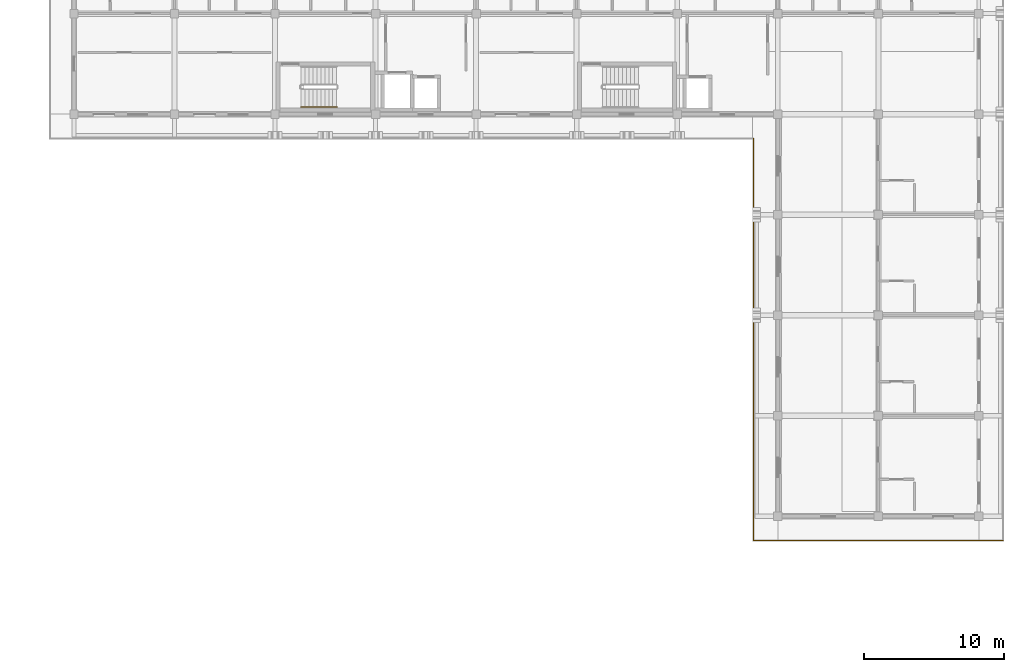
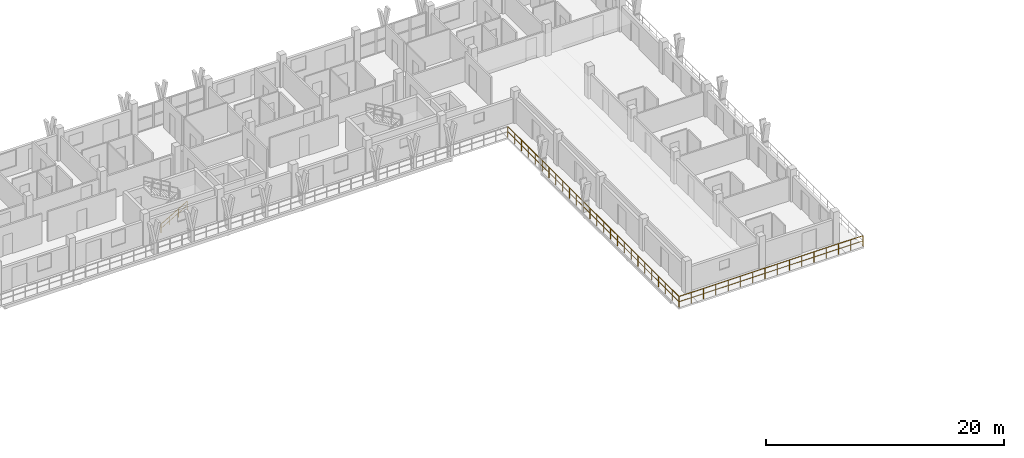
# One storey, part 72 of 75: 3 railings.
"""IFC4 building model written with IfcOpenShell, lengths in metres."""

from ifc_helpers import new_model, si_unit, direction, frame, origin, origin_2d, place, context, subcontext, project, spatial, rectangle, extrude, material, type_object, element, save


model = new_model("IFC4")

# Units and contexts
model_context = context("Model", 3, precision=1e-05, world=origin(), true_north=direction((0.0, 1.0)))
body_context = subcontext(model_context, "Body", "Model", "MODEL_VIEW")
ifc_project = project(units=[si_unit("LENGTHUNIT", "METRE"), si_unit("AREAUNIT", "SQUARE_METRE"), si_unit("VOLUMEUNIT", "CUBIC_METRE"), si_unit("PLANEANGLEUNIT", "RADIAN"), si_unit("MASSUNIT", "GRAM", prefix="KILO")], contexts=[model_context])

# Site, building, storey
site_placement = place(None, origin())
site = spatial("IfcSite", under=ifc_project, at=site_placement, CompositionType="ELEMENT")
building_placement = place(site_placement, origin())
building = spatial("IfcBuilding", under=site, at=building_placement, Name="Suanplinth Sawtooth Commons", CompositionType="ELEMENT")
storey_placement = place(building_placement, frame((0.0, 0.0, 18.60009765625)))
storey = spatial("IfcBuildingStorey", under=building, at=storey_placement, Name="L05", CompositionType="ELEMENT", Elevation=18.60009765625)

# Railings
ifc_material_1 = material(Name="Powder-coated galvanized steel", Category="steel")
railing_type_1 = type_object("IfcRailingType", Name="GR-01", PredefinedType="BALUSTRADE", material=ifc_material_1)
railing_1_placement = place(storey_placement, frame((171.06005859375, 77.4599609375, 0.0)))
element("IfcRailing", 1, at=railing_1_placement, inside=storey, type_object=railing_type_1, Name="L05 Block B Perimeter Balustrade 1", PredefinedType="BALUSTRADE", context=body_context, shape_type="SweptSolid", body=[
    extrude(rectangle(XDim=0.048095703125, YDim=0.048095703125, at=origin_2d()), frame((0.0, 0.0, 1.09619140625), z_axis=(0.0, 1.0, 0.0), x_axis=(-1.0, 0.0, 0.0)), (0.0, 0.0, 1.0), 28.800048828125),
    extrude(rectangle(XDim=0.03369140625, YDim=0.03369140625, at=origin_2d()), frame((0.0, 0.0, 0.56005859375), z_axis=(0.0, 1.0, 0.0), x_axis=(-1.0, 0.0, 0.0)), (0.0, 0.0, 1.0), 28.800048828125),
    extrude(rectangle(XDim=0.0419921875, YDim=0.0419921875, at=origin_2d()), origin(), (0.0, 0.0, 1.0), 1.072021484375),
    extrude(rectangle(XDim=0.0419921875, YDim=0.0419921875, at=origin_2d()), frame((0.0, 1.152099609375, 0.0)), (0.0, 0.0, 1.0), 1.072021484375),
    extrude(rectangle(XDim=0.0419921875, YDim=0.0419921875, at=origin_2d()), frame((0.0, 2.303955078125, 0.0)), (0.0, 0.0, 1.0), 1.072021484375),
    extrude(rectangle(XDim=0.0419921875, YDim=0.0419921875, at=origin_2d()), frame((0.0, 3.4560546875, 0.0)), (0.0, 0.0, 1.0), 1.072021484375),
    extrude(rectangle(XDim=0.0419921875, YDim=0.0419921875, at=origin_2d()), frame((0.0, 4.60791015625, 0.0)), (0.0, 0.0, 1.0), 1.072021484375),
    extrude(rectangle(XDim=0.0419921875, YDim=0.0419921875, at=origin_2d()), frame((0.0, 5.760009765625, 0.0)), (0.0, 0.0, 1.0), 1.072021484375),
    extrude(rectangle(XDim=0.0419921875, YDim=0.0419921875, at=origin_2d()), frame((0.0, 6.912109375, 0.0)), (0.0, 0.0, 1.0), 1.072021484375),
    extrude(rectangle(XDim=0.0419921875, YDim=0.0419921875, at=origin_2d()), frame((0.0, 8.06396484375, 0.0)), (0.0, 0.0, 1.0), 1.072021484375),
    extrude(rectangle(XDim=0.0419921875, YDim=0.0419921875, at=origin_2d()), frame((0.0, 9.216064453125, 0.0)), (0.0, 0.0, 1.0), 1.072021484375),
    extrude(rectangle(XDim=0.0419921875, YDim=0.0419921875, at=origin_2d()), frame((0.0, 10.367919921875, 0.0)), (0.0, 0.0, 1.0), 1.072021484375),
    extrude(rectangle(XDim=0.0419921875, YDim=0.0419921875, at=origin_2d()), frame((0.0, 11.52001953125, 0.0)), (0.0, 0.0, 1.0), 1.072021484375),
    extrude(rectangle(XDim=0.0419921875, YDim=0.0419921875, at=origin_2d()), frame((0.0, 12.672119140625, 0.0)), (0.0, 0.0, 1.0), 1.072021484375),
    extrude(rectangle(XDim=0.0419921875, YDim=0.0419921875, at=origin_2d()), frame((0.0, 13.823974609375, 0.0)), (0.0, 0.0, 1.0), 1.072021484375),
    extrude(rectangle(XDim=0.0419921875, YDim=0.0419921875, at=origin_2d()), frame((0.0, 14.97607421875, 0.0)), (0.0, 0.0, 1.0), 1.072021484375),
    extrude(rectangle(XDim=0.0419921875, YDim=0.0419921875, at=origin_2d()), frame((0.0, 16.1279296875, 0.0)), (0.0, 0.0, 1.0), 1.072021484375),
    extrude(rectangle(XDim=0.0419921875, YDim=0.0419921875, at=origin_2d()), frame((0.0, 17.280029296875, 0.0)), (0.0, 0.0, 1.0), 1.072021484375),
    extrude(rectangle(XDim=0.0419921875, YDim=0.0419921875, at=origin_2d()), frame((0.0, 18.43212890625, 0.0)), (0.0, 0.0, 1.0), 1.072021484375),
    extrude(rectangle(XDim=0.0419921875, YDim=0.0419921875, at=origin_2d()), frame((0.0, 19.583984375, 0.0)), (0.0, 0.0, 1.0), 1.072021484375),
    extrude(rectangle(XDim=0.0419921875, YDim=0.0419921875, at=origin_2d()), frame((0.0, 20.736083984375, 0.0)), (0.0, 0.0, 1.0), 1.072021484375),
    extrude(rectangle(XDim=0.0419921875, YDim=0.0419921875, at=origin_2d()), frame((0.0, 21.887939453125, 0.0)), (0.0, 0.0, 1.0), 1.072021484375),
    extrude(rectangle(XDim=0.0419921875, YDim=0.0419921875, at=origin_2d()), frame((0.0, 23.0400390625, 0.0)), (0.0, 0.0, 1.0), 1.072021484375),
    extrude(rectangle(XDim=0.0419921875, YDim=0.0419921875, at=origin_2d()), frame((0.0, 24.192138671875, 0.0)), (0.0, 0.0, 1.0), 1.072021484375),
    extrude(rectangle(XDim=0.0419921875, YDim=0.0419921875, at=origin_2d()), frame((0.0, 25.343994140625, 0.0)), (0.0, 0.0, 1.0), 1.072021484375),
    extrude(rectangle(XDim=0.0419921875, YDim=0.0419921875, at=origin_2d()), frame((0.0, 26.49609375, 0.0)), (0.0, 0.0, 1.0), 1.072021484375),
    extrude(rectangle(XDim=0.0419921875, YDim=0.0419921875, at=origin_2d()), frame((0.0, 27.64794921875, 0.0)), (0.0, 0.0, 1.0), 1.072021484375),
    extrude(rectangle(XDim=0.0419921875, YDim=0.0419921875, at=origin_2d()), frame((0.0, 28.800048828125, 0.0)), (0.0, 0.0, 1.0), 1.072021484375),
])
railing_2_placement = place(storey_placement, frame((188.93994140625, 77.4599609375, 0.0)))
element("IfcRailing", 2, at=railing_2_placement, inside=storey, type_object=railing_type_1, Name="L05 Block B Perimeter Balustrade 6", PredefinedType="BALUSTRADE", context=body_context, shape_type="SweptSolid", body=[
    extrude(rectangle(XDim=0.048095703125, YDim=0.048095703125, at=origin_2d()), frame((0.0, 0.0, 1.09619140625), z_axis=(-1.0, 0.0, 0.0), x_axis=(0.0, -1.0, 0.0)), (0.0, 0.0, 1.0), 17.8798828125),
    extrude(rectangle(XDim=0.03369140625, YDim=0.03369140625, at=origin_2d()), frame((0.0, 0.0, 0.56005859375), z_axis=(-1.0, 0.0, 0.0), x_axis=(0.0, -1.0, 0.0)), (0.0, 0.0, 1.0), 17.8798828125),
    extrude(rectangle(XDim=0.0419921875, YDim=0.0419921875, at=origin_2d()), origin(), (0.0, 0.0, 1.0), 1.072021484375),
    extrude(rectangle(XDim=0.0419921875, YDim=0.0419921875, at=origin_2d()), frame((-1.19189453125, 0.0, 0.0)), (0.0, 0.0, 1.0), 1.072021484375),
    extrude(rectangle(XDim=0.0419921875, YDim=0.0419921875, at=origin_2d()), frame((-2.384033203125, 0.0, 0.0)), (0.0, 0.0, 1.0), 1.072021484375),
    extrude(rectangle(XDim=0.0419921875, YDim=0.0419921875, at=origin_2d()), frame((-3.575927734375, 0.0, 0.0)), (0.0, 0.0, 1.0), 1.072021484375),
    extrude(rectangle(XDim=0.0419921875, YDim=0.0419921875, at=origin_2d()), frame((-4.76806640625, 0.0, 0.0)), (0.0, 0.0, 1.0), 1.072021484375),
    extrude(rectangle(XDim=0.0419921875, YDim=0.0419921875, at=origin_2d()), frame((-5.9599609375, 0.0, 0.0)), (0.0, 0.0, 1.0), 1.072021484375),
    extrude(rectangle(XDim=0.0419921875, YDim=0.0419921875, at=origin_2d()), frame((-7.15185546875, 0.0, 0.0)), (0.0, 0.0, 1.0), 1.072021484375),
    extrude(rectangle(XDim=0.0419921875, YDim=0.0419921875, at=origin_2d()), frame((-8.343994140625, 0.0, 0.0)), (0.0, 0.0, 1.0), 1.072021484375),
    extrude(rectangle(XDim=0.0419921875, YDim=0.0419921875, at=origin_2d()), frame((-9.535888671875, 0.0, 0.0)), (0.0, 0.0, 1.0), 1.072021484375),
    extrude(rectangle(XDim=0.0419921875, YDim=0.0419921875, at=origin_2d()), frame((-10.72802734375, 0.0, 0.0)), (0.0, 0.0, 1.0), 1.072021484375),
    extrude(rectangle(XDim=0.0419921875, YDim=0.0419921875, at=origin_2d()), frame((-11.919921875, 0.0, 0.0)), (0.0, 0.0, 1.0), 1.072021484375),
    extrude(rectangle(XDim=0.0419921875, YDim=0.0419921875, at=origin_2d()), frame((-13.11181640625, 0.0, 0.0)), (0.0, 0.0, 1.0), 1.072021484375),
    extrude(rectangle(XDim=0.0419921875, YDim=0.0419921875, at=origin_2d()), frame((-14.303955078125, 0.0, 0.0)), (0.0, 0.0, 1.0), 1.072021484375),
    extrude(rectangle(XDim=0.0419921875, YDim=0.0419921875, at=origin_2d()), frame((-15.495849609375, 0.0, 0.0)), (0.0, 0.0, 1.0), 1.072021484375),
    extrude(rectangle(XDim=0.0419921875, YDim=0.0419921875, at=origin_2d()), frame((-16.68798828125, 0.0, 0.0)), (0.0, 0.0, 1.0), 1.072021484375),
    extrude(rectangle(XDim=0.0419921875, YDim=0.0419921875, at=origin_2d()), frame((-17.8798828125, 0.0, 0.0)), (0.0, 0.0, 1.0), 1.072021484375),
])
ifc_material_2 = material(Name="Stainless steel Grade 304", Category="steel")
railing_type_2 = type_object("IfcRailingType", Name="HR-01", PredefinedType="HANDRAIL", material=ifc_material_2)
railing_3_placement = place(storey_placement, frame((138.64990234375, 108.5, 0.164794921875)))
element("IfcRailing", 3, at=railing_3_placement, inside=storey, type_object=railing_type_2, Name="L05 ST-E1 Handrail 1", PredefinedType="HANDRAIL", context=body_context, shape_type="SweptSolid", body=[
    extrude(rectangle(XDim=0.048095703125, YDim=0.048095703125, at=origin_2d()), frame((0.0, 0.0, 0.8759765625), z_axis=(0.865426285481, 0.0, 0.501036270542), x_axis=(0.0, 1.0, 0.0)), (0.0, 0.0, 1.0), 2.964111328125),
    extrude(rectangle(XDim=0.03369140625, YDim=0.03369140625, at=origin_2d()), frame((0.0, 0.0, 0.449951171875), z_axis=(0.865426285481, 0.0, 0.501036270542), x_axis=(0.0, 1.0, 0.0)), (0.0, 0.0, 1.0), 2.964111328125),
    extrude(rectangle(XDim=0.0419921875, YDim=0.0419921875, at=origin_2d()), origin(), (0.0, 0.0, 1.0), 0.851806640625),
    extrude(rectangle(XDim=0.0419921875, YDim=0.0419921875, at=origin_2d()), frame((0.85498046875, 0.0, 0.4951171875)), (0.0, 0.0, 1.0), 0.851806640625),
    extrude(rectangle(XDim=0.0419921875, YDim=0.0419921875, at=origin_2d()), frame((1.710205078125, 0.0, 0.989990234375)), (0.0, 0.0, 1.0), 0.851806640625),
    extrude(rectangle(XDim=0.0419921875, YDim=0.0419921875, at=origin_2d()), frame((2.565185546875, 0.0, 1.485107421875)), (0.0, 0.0, 1.0), 0.851806640625),
])

save(model, "model.ifc")
